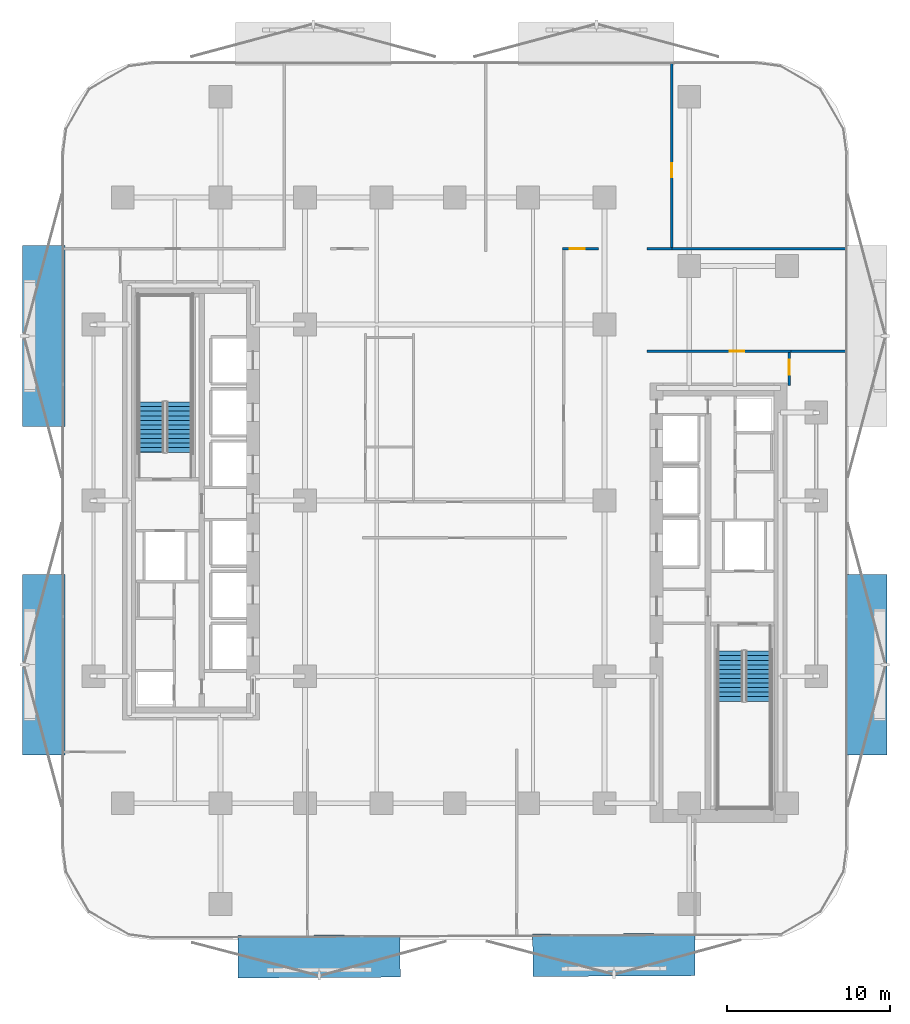
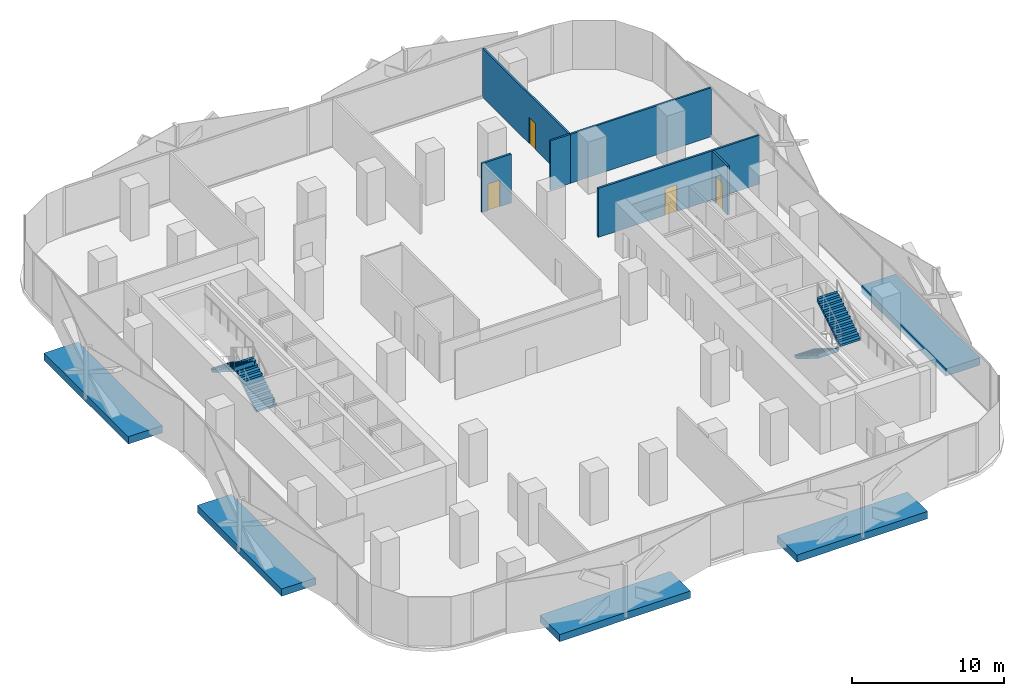
# One storey, part 6 of 16: 7 walls, 5 discrete accessories, 4 doors, 4 stair flights, 4 openings, 2 elements without a shape of their own.
"""IFC4 building model written with IfcOpenShell, lengths in metres."""

from ifc_helpers import new_model, si_unit, direction, frame, frame_2d, origin, origin_2d, place, context, subcontext, project, spatial, polyline, rectangle, outline, extrude, material, layer, layer_set, type_object, element, fill, aggregate, save


model = new_model("IFC4")

# Units and contexts
model_context = context("Model", 3, precision=1e-05, world=origin(), true_north=direction((0.0, 1.0)))
body_context = subcontext(model_context, "Body", "Model", "MODEL_VIEW")
ifc_project = project(units=[si_unit("LENGTHUNIT", "METRE"), si_unit("AREAUNIT", "SQUARE_METRE"), si_unit("VOLUMEUNIT", "CUBIC_METRE"), si_unit("PLANEANGLEUNIT", "RADIAN"), si_unit("MASSUNIT", "GRAM", prefix="KILO")], contexts=[model_context])

# Site, building, storey
site_placement = place(None, origin())
site = spatial("IfcSite", under=ifc_project, at=site_placement, CompositionType="ELEMENT")
building_placement = place(site_placement, origin())
building = spatial("IfcBuilding", under=site, at=building_placement, Name="Khairoan Windgate Tower", CompositionType="ELEMENT")
storey_placement = place(building_placement, frame((0.0, 0.0, 55.39990234375)))
storey = spatial("IfcBuildingStorey", under=building, at=storey_placement, Name="L13", CompositionType="ELEMENT", Elevation=55.39990234375)

# Walls
ifc_material_1 = material(Name="Acoustic Fire-Rated Gypsum Partition", Category="gypsum")
ifc_layer_1 = layer(ifc_material_1, 0.139892578125, Name="Acoustic Fire-Rated Gypsum Partition")
ifc_layer_set_1 = layer_set([ifc_layer_1], Name="Acoustic Fire-Rated Gypsum Partition")
wall_type_1 = type_object("IfcWallType", Name="Inter-Tenancy Compartment Wall", PredefinedType="PARTITIONING", material=ifc_layer_set_1)
wall_1_placement = place(storey_placement, frame((20.639892578125, 9.159912109375, 0.0), z_axis=(0.0, 0.0, 1.0), x_axis=(1.0, 0.0, 0.0)))
element("IfcWall", 1, at=wall_1_placement, inside=storey, type_object=wall_type_1, Name="L13 Interior Partition 026", PredefinedType="PARTITIONING", context=body_context, shape_type="SweptSolid", body=[
    extrude(rectangle(XDim=3.4150390625, YDim=0.139892578125, at=frame_2d((1.70751953125, 0.0))), origin(), (0.0, 0.0, 1.0), 3.940185546875),
])
wall_2_placement = place(storey_placement, frame((11.81005859375, 15.4599609375, 0.0), z_axis=(0.0, 0.0, 1.0), x_axis=(1.0, 0.0, 0.0)))
element("IfcWall", 2, at=wall_2_placement, inside=storey, type_object=wall_type_1, Name="L13 Interior Partition 027", PredefinedType="PARTITIONING", context=body_context, shape_type="SweptSolid", body=[
    extrude(rectangle(XDim=1.517822265625, YDim=0.139892578125, at=frame_2d((0.7587890625, 0.0))), origin(), (0.0, 0.0, 1.0), 3.940185546875),
])
wall_3_placement = place(storey_placement, frame((13.327880859375, 15.4599609375, 0.0), z_axis=(0.0, 0.0, 1.0), x_axis=(1.0, 0.0, 0.0)))
element("IfcWall", 3, at=wall_3_placement, inside=storey, type_object=wall_type_1, Name="L13 Interior Partition 028", PredefinedType="PARTITIONING", context=body_context, shape_type="SweptSolid", body=[
    extrude(rectangle(XDim=10.72705078125, YDim=0.139892578125, at=frame_2d((5.363525390625, 0.0))), origin(), (0.0, 0.0, 1.0), 3.940185546875),
])

# Wall, opening, door
wall_4_placement = place(storey_placement, frame((13.327880859375, 15.530029296875, 0.0), z_axis=(0.0, 0.0, 1.0), x_axis=(0.0, 1.0, 0.0)))
wall_4 = element("IfcWall", 4, at=wall_4_placement, inside=storey, type_object=wall_type_1, Name="L13 Interior Partition 031", PredefinedType="PARTITIONING", context=body_context, shape_type="SweptSolid", body=[
    extrude(rectangle(XDim=11.324951171875, YDim=0.139892578125, at=frame_2d((5.66259765625, 0.0))), origin(), (0.0, 0.0, 1.0), 3.940185546875),
])
opening_1_placement = place(wall_4_placement, frame((4.32275390625, 0.0, 0.0)))
opening_1 = element("IfcOpeningElement", 5, at=opening_1_placement, cuts=wall_4, Name="Opening FD-SRV", PredefinedType="OPENING", context=body_context, shape_type="SweptSolid", body=[
    extrude(rectangle(XDim=0.85009765625, YDim=2.10009765625, at=frame_2d((0.425048828125, 1.050048828125))), frame((0.0, 0.079833984375, 0.0), z_axis=(0.0, -1.0, 0.0), x_axis=(1.0, 0.0, 0.0)), (0.0, 0.0, 1.0), 0.159912109375),
])
ifc_material_2 = material(Name="Steel S355", Category="steel")
door_type_1 = type_object("IfcDoorType", Name="Core Service and Riser Fire Door FD-SRV 850x2100", OperationType="NOTDEFINED", PredefinedType="DOOR", material=ifc_material_2)
door_1_placement = place(opening_1_placement, origin())
door_1 = element("IfcDoor", 6, at=door_1_placement, inside=storey, type_object=door_type_1, Name="L13 L13-41-L13-42 Door", OperationType="SINGLE_SWING_LEFT", OverallHeight=2.10009765625, OverallWidth=0.85009765625, PredefinedType="DOOR", context=body_context, shape_type="SweptSolid", body=[
    extrude(rectangle(XDim=0.85009765625, YDim=2.10009765625, at=frame_2d((0.425048828125, 1.050048828125))), frame((0.0, 0.02490234375, 0.0), z_axis=(0.0, -1.0, 0.0), x_axis=(1.0, 0.0, 0.0)), (0.0, 0.0, 1.0), 0.050048828125),
])
fill(opening_1, door_1)

ifc_material_3 = material(Name="Acoustic Fire-Rated Gypsum Partition", Category="gypsum")
ifc_layer_2 = layer(ifc_material_3, 0.14990234375, Name="Acoustic Fire-Rated Gypsum Partition")
ifc_layer_set_2 = layer_set([ifc_layer_2], Name="Acoustic Fire-Rated Gypsum Partition")
wall_type_2 = type_object("IfcWallType", Name="Rated Corridor Partition Wall", PredefinedType="PARTITIONING", material=ifc_layer_set_2)
wall_5_placement = place(storey_placement, frame((6.610107421875, 15.4599609375, 0.0), z_axis=(0.0, 0.0, 1.0), x_axis=(1.0, 0.0, 0.0)))
wall_5 = element("IfcWall", 7, at=wall_5_placement, inside=storey, type_object=wall_type_2, Name="L13 Interior Partition 018", PredefinedType="PARTITIONING", context=body_context, shape_type="SweptSolid", body=[
    extrude(rectangle(XDim=2.22998046875, YDim=0.14990234375, at=frame_2d((1.114990234375, 0.0))), origin(), (0.0, 0.0, 1.0), 3.940185546875),
])
opening_2_placement = place(wall_5_placement, frame((0.4599609375, 0.0, 0.0)))
opening_2 = element("IfcOpeningElement", 8, at=opening_2_placement, cuts=wall_5, Name="Opening FD-ENT", PredefinedType="OPENING", context=body_context, shape_type="SweptSolid", body=[
    extrude(rectangle(XDim=0.89990234375, YDim=2.14990234375, at=frame_2d((0.449951171875, 1.074951171875))), frame((0.0, 0.0849609375, 0.0), z_axis=(0.0, -1.0, 0.0), x_axis=(1.0, 0.0, 0.0)), (0.0, 0.0, 1.0), 0.169921875),
])
ifc_material_4 = material(Name="Timber Fire-Rated Core", Category="wood")
door_type_2 = type_object("IfcDoorType", Name="Unit and Office Fire Entrance Door FD-ENT 900x2150", OperationType="NOTDEFINED", PredefinedType="DOOR", material=ifc_material_4)
door_2_placement = place(opening_2_placement, origin())
door_2 = element("IfcDoor", 9, at=door_2_placement, inside=storey, type_object=door_type_2, Name="L13 L13-33-L13-41 Door", OperationType="SINGLE_SWING_LEFT", OverallHeight=2.14990234375, OverallWidth=0.89990234375, PredefinedType="DOOR", context=body_context, shape_type="SweptSolid", body=[
    extrude(rectangle(XDim=0.89990234375, YDim=2.14990234375, at=frame_2d((0.449951171875, 1.074951171875))), frame((0.0, 0.02490234375, 0.0), z_axis=(0.0, -1.0, 0.0), x_axis=(1.0, 0.0, 0.0)), (0.0, 0.0, 1.0), 0.050048828125),
])
fill(opening_2, door_2)

wall_6_placement = place(storey_placement, frame((20.5400390625, 7.06005859375, 0.0), z_axis=(0.0, 0.0, 1.0), x_axis=(0.0, 1.0, 0.0)))
wall_6 = element("IfcWall", 10, at=wall_6_placement, inside=storey, type_object=wall_type_2, Name="L13 Interior Partition 022", PredefinedType="PARTITIONING", context=body_context, shape_type="SweptSolid", body=[
    extrude(rectangle(XDim=2.02490234375, YDim=0.14990234375, at=frame_2d((1.012451171875, 0.0))), origin(), (0.0, 0.0, 1.0), 3.940185546875),
])
opening_3_placement = place(wall_6_placement, frame((0.6650390625, 0.0, 0.0)))
opening_3 = element("IfcOpeningElement", 11, at=opening_3_placement, cuts=wall_6, Name="Opening FD-ENT", PredefinedType="OPENING", context=body_context, shape_type="SweptSolid", body=[
    extrude(rectangle(XDim=0.89990234375, YDim=2.14990234375, at=frame_2d((0.449951171875, 1.074951171875))), frame((0.0, 0.0849609375, 0.0), z_axis=(0.0, -1.0, 0.0), x_axis=(1.0, 0.0, 0.0)), (0.0, 0.0, 1.0), 0.169921875),
])
door_3_placement = place(opening_3_placement, origin())
door_3 = element("IfcDoor", 12, at=door_3_placement, inside=storey, type_object=door_type_2, Name="L13 L13-35-L13-37 Door", OperationType="SINGLE_SWING_LEFT", OverallHeight=2.14990234375, OverallWidth=0.89990234375, PredefinedType="DOOR", context=body_context, shape_type="SweptSolid", body=[
    extrude(rectangle(XDim=0.89990234375, YDim=2.14990234375, at=frame_2d((0.449951171875, 1.074951171875))), frame((0.0, 0.02490234375, 0.0), z_axis=(0.0, -1.0, 0.0), x_axis=(1.0, 0.0, 0.0)), (0.0, 0.0, 1.0), 0.050048828125),
])
fill(opening_3, door_3)

wall_7_placement = place(storey_placement, frame((11.81005859375, 9.159912109375, 0.0), z_axis=(0.0, 0.0, 1.0), x_axis=(1.0, 0.0, 0.0)))
wall_7 = element("IfcWall", 13, at=wall_7_placement, inside=storey, type_object=wall_type_2, Name="L13 Interior Partition 023", PredefinedType="PARTITIONING", context=body_context, shape_type="SweptSolid", body=[
    extrude(rectangle(XDim=8.829833984375, YDim=0.14990234375, at=frame_2d((4.4150390625, 0.0))), origin(), (0.0, 0.0, 1.0), 3.940185546875),
])
opening_4_placement = place(wall_7_placement, frame((5.066650390625, 0.0, 0.0)))
opening_4 = element("IfcOpeningElement", 14, at=opening_4_placement, cuts=wall_7, Name="Opening FD-ENT", PredefinedType="OPENING", context=body_context, shape_type="SweptSolid", body=[
    extrude(rectangle(XDim=0.89990234375, YDim=2.14990234375, at=frame_2d((0.449951171875, 1.074951171875))), frame((0.0, 0.0849609375, 0.0), z_axis=(0.0, -1.0, 0.0), x_axis=(1.0, 0.0, 0.0)), (0.0, 0.0, 1.0), 0.169921875),
])
door_4_placement = place(opening_4_placement, origin())
door_4 = element("IfcDoor", 15, at=door_4_placement, inside=storey, type_object=door_type_2, Name="L13 L13-35-L13-38 Door", OperationType="SINGLE_SWING_RIGHT", OverallHeight=2.14990234375, OverallWidth=0.89990234375, PredefinedType="DOOR", context=body_context, shape_type="SweptSolid", body=[
    extrude(rectangle(XDim=0.89990234375, YDim=2.14990234375, at=frame_2d((0.449951171875, 1.074951171875))), frame((0.0, 0.02490234375, 0.0), z_axis=(0.0, -1.0, 0.0), x_axis=(1.0, 0.0, 0.0)), (0.0, 0.0, 1.0), 0.050048828125),
])
fill(opening_4, door_4)

# Stair, stair flights
ifc_material_5 = material(Name="Concrete C40/50", Category="concrete")
stair_type = type_object("IfcStairType", Name="Tower Core Dog-Leg Stair ST-T1 1560mm", PredefinedType="HALF_TURN_STAIR", material=ifc_material_5)
stair_1_placement = place(storey_placement, origin())
stair_1 = element("IfcStair", 16, at=stair_1_placement, inside=storey, type_object=stair_type, Name="L13 Stair ST1", PredefinedType="HALF_TURN_STAIR")
ifc_material_6 = material(Name="Concrete C40/50", Category="concrete")
ifc_layer_3 = layer(ifc_material_6, 0.14990234375, Name="Concrete C40/50")
ifc_layer_set_3 = layer_set([ifc_layer_3], Name="Concrete C40/50")
stair_flight_type = type_object("IfcStairFlightType", Name="Tower Core Stair Flight STF-1560", PredefinedType="STRAIGHT", material=ifc_layer_set_3)
stair_flight_1_placement = place(storey_placement, frame((16.929931640625, -9.260009765625, 0.0), z_axis=(0.0, 0.0, 1.0), x_axis=(0.0, -1.0, 0.0)))
stair_flight_1 = element("IfcStairFlight", 17, at=stair_flight_1_placement, type_object=stair_flight_type, Name="ST1 flight 1", NumberOfRisers=12, NumberOfTreads=11, PredefinedType="STRAIGHT", RiserHeight=0.175, TreadLength=0.28, context=body_context, shape_type="SweptSolid", body=[
    extrude(outline(polyline([(-0.00390625, 0.0), (-0.00390625, 0.175048828125), (0.0, 0.175048828125), (0.280029296875, 0.175048828125), (0.280029296875, 0.35009765625), (0.56005859375, 0.35009765625), (0.56005859375, 0.52490234375), (0.840087890625, 0.52490234375), (0.840087890625, 0.699951171875), (1.1201171875, 0.699951171875), (1.1201171875, 0.875), (1.39990234375, 0.875), (1.39990234375, 1.050048828125), (1.679931640625, 1.050048828125), (1.679931640625, 1.22509765625), (1.9599609375, 1.22509765625), (1.9599609375, 1.39990234375), (2.239990234375, 1.39990234375), (2.239990234375, 1.574951171875), (2.52001953125, 1.574951171875), (2.52001953125, 1.75), (2.800048828125, 1.75), (2.800048828125, 1.925048828125), (3.080078125, 1.925048828125), (3.080078125, 2.10009765625), (3.083984375, 2.10009765625), (3.083984375, 1.748291015625), (0.28271484375, 0.0), (-0.00390625, 0.0)])), frame((0.0, 0.780029296875, 0.0), z_axis=(0.0, -1.0, 0.0), x_axis=(1.0, 0.0, 0.0)), (0.0, 0.0, 1.0), 1.56005859375),
])
stair_flight_2_placement = place(storey_placement, frame((18.639892578125, -12.340087890625, 2.10009765625), z_axis=(0.0, 0.0, 1.0), x_axis=(0.0, 1.0, 0.0)))
stair_flight_2 = element("IfcStairFlight", 18, at=stair_flight_2_placement, type_object=stair_flight_type, Name="ST1 flight 2", NumberOfRisers=12, NumberOfTreads=11, PredefinedType="STRAIGHT", RiserHeight=0.175, TreadLength=0.28, context=body_context, shape_type="SweptSolid", body=[
    extrude(outline(polyline([(-0.00390625, 0.0), (-0.00390625, 0.175048828125), (0.0, 0.175048828125), (0.280029296875, 0.175048828125), (0.280029296875, 0.35009765625), (0.56005859375, 0.35009765625), (0.56005859375, 0.52490234375), (0.840087890625, 0.52490234375), (0.840087890625, 0.699951171875), (1.1201171875, 0.699951171875), (1.1201171875, 0.875), (1.39990234375, 0.875), (1.39990234375, 1.050048828125), (1.679931640625, 1.050048828125), (1.679931640625, 1.22509765625), (1.9599609375, 1.22509765625), (1.9599609375, 1.39990234375), (2.239990234375, 1.39990234375), (2.239990234375, 1.574951171875), (2.52001953125, 1.574951171875), (2.52001953125, 1.75), (2.800048828125, 1.75), (2.800048828125, 1.925048828125), (3.080078125, 1.925048828125), (3.080078125, 2.10009765625), (3.083984375, 2.10009765625), (3.083984375, 1.748291015625), (0.28271484375, 0.0), (-0.00390625, 0.0)])), frame((0.0, 0.780029296875, 0.0), z_axis=(0.0, -1.0, 0.0), x_axis=(1.0, 0.0, 0.0)), (0.0, 0.0, 1.0), 1.56005859375),
])
aggregate(stair_1, [stair_flight_1, stair_flight_2])

stair_2_placement = place(storey_placement, origin())
stair_2 = element("IfcStair", 19, at=stair_2_placement, inside=storey, type_object=stair_type, Name="L13 Stair ST2", PredefinedType="HALF_TURN_STAIR")
stair_flight_3_placement = place(storey_placement, frame((-16.929931640625, 2.9599609375, 0.0), z_axis=(0.0, 0.0, 1.0), x_axis=(0.0, 1.0, 0.0)))
stair_flight_3 = element("IfcStairFlight", 20, at=stair_flight_3_placement, type_object=stair_flight_type, Name="ST2 flight 1", NumberOfRisers=12, NumberOfTreads=11, PredefinedType="STRAIGHT", RiserHeight=0.175, TreadLength=0.28, context=body_context, shape_type="SweptSolid", body=[
    extrude(outline(polyline([(-0.00390625, 0.0), (-0.00390625, 0.175048828125), (0.0, 0.175048828125), (0.280029296875, 0.175048828125), (0.280029296875, 0.35009765625), (0.56005859375, 0.35009765625), (0.56005859375, 0.52490234375), (0.840087890625, 0.52490234375), (0.840087890625, 0.699951171875), (1.1201171875, 0.699951171875), (1.1201171875, 0.875), (1.39990234375, 0.875), (1.39990234375, 1.050048828125), (1.679931640625, 1.050048828125), (1.679931640625, 1.22509765625), (1.9599609375, 1.22509765625), (1.9599609375, 1.39990234375), (2.239990234375, 1.39990234375), (2.239990234375, 1.574951171875), (2.52001953125, 1.574951171875), (2.52001953125, 1.75), (2.800048828125, 1.75), (2.800048828125, 1.925048828125), (3.080078125, 1.925048828125), (3.080078125, 2.10009765625), (3.083984375, 2.10009765625), (3.083984375, 1.748291015625), (0.28271484375, 0.0), (-0.00390625, 0.0)])), frame((0.0, 0.780029296875, 0.0), z_axis=(0.0, -1.0, 0.0), x_axis=(1.0, 0.0, 0.0)), (0.0, 0.0, 1.0), 1.56005859375),
])
stair_flight_4_placement = place(storey_placement, frame((-18.639892578125, 6.0400390625, 2.10009765625), z_axis=(0.0, 0.0, 1.0), x_axis=(0.0, -1.0, 0.0)))
stair_flight_4 = element("IfcStairFlight", 21, at=stair_flight_4_placement, type_object=stair_flight_type, Name="ST2 flight 2", NumberOfRisers=12, NumberOfTreads=11, PredefinedType="STRAIGHT", RiserHeight=0.175, TreadLength=0.28, context=body_context, shape_type="SweptSolid", body=[
    extrude(outline(polyline([(-0.00390625, 0.0), (-0.00390625, 0.175048828125), (0.0, 0.175048828125), (0.280029296875, 0.175048828125), (0.280029296875, 0.35009765625), (0.56005859375, 0.35009765625), (0.56005859375, 0.52490234375), (0.840087890625, 0.52490234375), (0.840087890625, 0.699951171875), (1.1201171875, 0.699951171875), (1.1201171875, 0.875), (1.39990234375, 0.875), (1.39990234375, 1.050048828125), (1.679931640625, 1.050048828125), (1.679931640625, 1.22509765625), (1.9599609375, 1.22509765625), (1.9599609375, 1.39990234375), (2.239990234375, 1.39990234375), (2.239990234375, 1.574951171875), (2.52001953125, 1.574951171875), (2.52001953125, 1.75), (2.800048828125, 1.75), (2.800048828125, 1.925048828125), (3.080078125, 1.925048828125), (3.080078125, 2.10009765625), (3.083984375, 2.10009765625), (3.083984375, 1.748291015625), (0.28271484375, 0.0), (-0.00390625, 0.0)])), frame((0.0, 0.780029296875, 0.0), z_axis=(0.0, -1.0, 0.0), x_axis=(1.0, 0.0, 0.0)), (0.0, 0.0, 1.0), 1.56005859375),
])
aggregate(stair_2, [stair_flight_3, stair_flight_4])

# Discrete accessories
ifc_material_7 = material(Name="Steel S355", Category="steel")
discrete_accessory_type = type_object("IfcDiscreteAccessoryType", Name="Solar Screen Outrigger Slab Bracket SSB-1", PredefinedType="BRACKET", material=ifc_material_7)
for number, where, z_axis, x_axis, name in (
    (22, (9.767822265625, -27.922607421875, -0.419921875), (0.0, 0.0, 1.0), (-0.999988059021, -0.004886902454, 0.0), "L13 Solar Screen Outrigger Bracket 57"),
    (23, (-8.333984375, -28.01025390625, -0.419921875), (0.0, 0.0, 1.0), (-0.999988059021, -0.004886902454, 0.0), "L13 Solar Screen Outrigger Bracket 58"),
):
    element("IfcDiscreteAccessory", number, at=place(storey_placement, frame(where, z_axis=z_axis, x_axis=x_axis)), inside=storey, type_object=discrete_accessory_type, Name=name, PredefinedType="BRACKET", context=body_context, shape_type="SweptSolid", body=[
        extrude(rectangle(XDim=9.9560546875, YDim=2.60009765625, at=origin_2d()), origin(), (0.0, 0.0, 1.0), 0.580078125),
    ])
for number, where, z_axis, x_axis, name in (
    (24, (-25.260009765625, -10.095458984375, -0.419921875), (0.0, 0.0, 1.0), (0.0, 1.0, 0.0), "L13 Solar Screen Outrigger Bracket 59"),
    (25, (-25.260009765625, 10.095458984375, -0.419921875), (0.0, 0.0, 1.0), (0.0, 1.0, 0.0), "L13 Solar Screen Outrigger Bracket 60"),
    (26, (25.260009765625, -10.095458984375, -0.419921875), (0.0, 0.0, 1.0), (0.0, -1.0, 0.0), "L13 Solar Screen Outrigger Bracket 64"),
):
    element("IfcDiscreteAccessory", number, at=place(storey_placement, frame(where, z_axis=z_axis, x_axis=x_axis)), inside=storey, type_object=discrete_accessory_type, Name=name, PredefinedType="BRACKET", context=body_context, shape_type="SweptSolid", body=[
        extrude(rectangle(XDim=11.10498046875, YDim=2.60009765625, at=origin_2d()), origin(), (0.0, 0.0, 1.0), 0.580078125),
    ])

save(model, "model.ifc")
